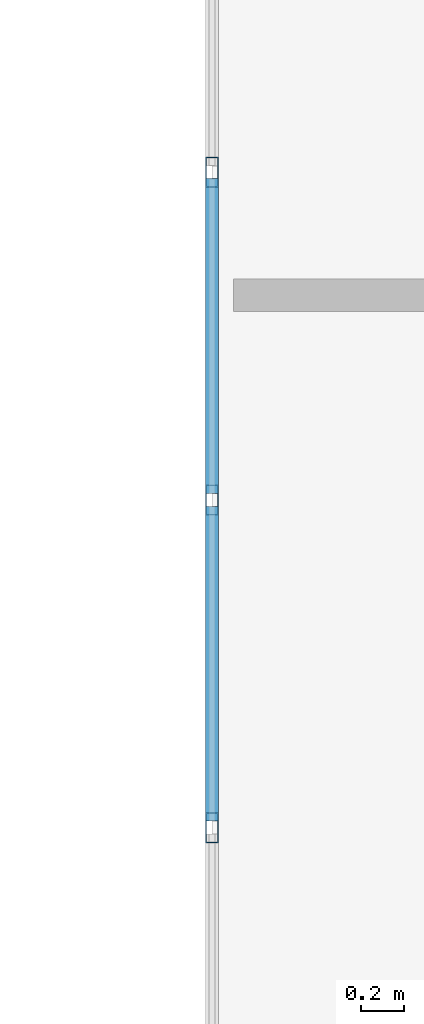
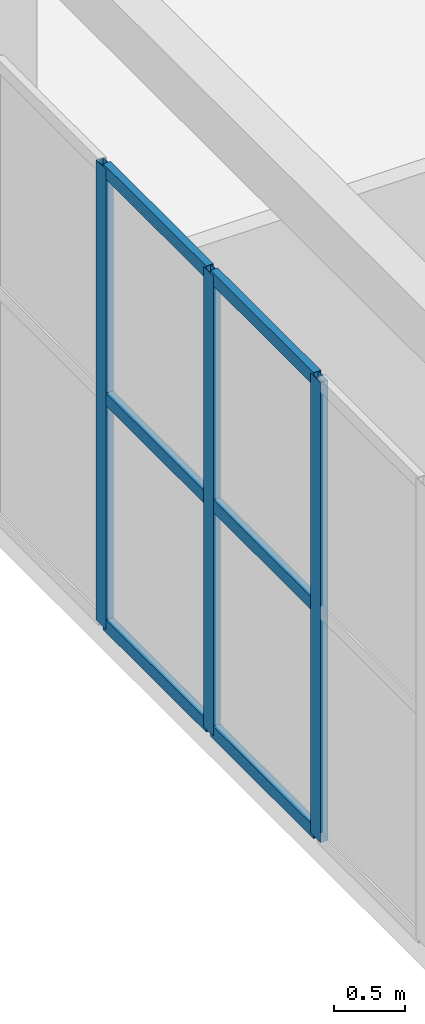
# One storey, part 21 of 140: 9 members, 1 element without a shape of its own.
"""IFC4 building model written with IfcOpenShell, lengths in metres."""

from ifc_helpers import new_model, si_unit, direction, frame, origin, origin_2d, place, context, subcontext, project, spatial, hollow_rectangle, extrude, material, layer, layer_set, material_profile, profile_set, type_object, element, aggregate, save


model = new_model("IFC4")

# Units and contexts
model_context = context("Model", 3, precision=1e-05, world=origin(), true_north=direction((0.0, 1.0)))
body_context = subcontext(model_context, "Body", "Model", "MODEL_VIEW")
ifc_project = project(units=[si_unit("LENGTHUNIT", "METRE"), si_unit("AREAUNIT", "SQUARE_METRE"), si_unit("VOLUMEUNIT", "CUBIC_METRE"), si_unit("PLANEANGLEUNIT", "RADIAN"), si_unit("MASSUNIT", "GRAM", prefix="KILO")], contexts=[model_context])

# Site, building, storey
site_placement = place(None, origin())
site = spatial("IfcSite", under=ifc_project, at=site_placement, CompositionType="ELEMENT")
building_placement = place(site_placement, origin())
building = spatial("IfcBuilding", under=site, at=building_placement, Name="Trelvath General Hospital", CompositionType="ELEMENT")
storey_placement = place(building_placement, frame((0.0, 0.0, 16.199951171875)))
storey = spatial("IfcBuildingStorey", under=building, at=storey_placement, Name="L04", CompositionType="ELEMENT", Elevation=16.199951171875)

# Curtain wall, members
ifc_material_1 = material(Name="Anodised aluminium and low-E glass", Category="aluminium")
ifc_layer = layer(ifc_material_1, 0.139892578125)
ifc_layer_set = layer_set([ifc_layer], Name="Anodised aluminium and low-E glass")
curtain_wall_type = type_object("IfcCurtainWallType", Name="CW CrystalCube 1664 396 14", PredefinedType="USERDEFINED", material=ifc_layer_set)
curtain_wall_placement = place(storey_placement, origin())
curtain_wall = element("IfcCurtainWall", 1, at=curtain_wall_placement, inside=storey, type_object=curtain_wall_type, Name="Crystal Cube Curtain Wall CUBE-W-T1 W3 L04", ObjectType="Unitised Glazed Curtain Wall", PredefinedType="USERDEFINED")
ifc_material_2 = material(Name="Anodised aluminium", Category="aluminium")
ifc_material_profile_1 = material_profile(ifc_material_2, hollow_rectangle(XDim=0.06005859375, YDim=0.139892578125, WallThickness=0.00390625, at=origin_2d()), Name="RHS60x140x4")
ifc_profile_set_1 = profile_set([ifc_material_profile_1], Name="Anodised aluminium")
member_type_1 = type_object("IfcMemberType", Name="CurtainMullion 60x140", PredefinedType="MULLION", material=ifc_profile_set_1)
member_1_placement = place(storey_placement, frame((53.199951171875, 51.99267578125, 0.0), z_axis=(0.0, 0.0, 1.0), x_axis=(-1.0, 0.0, 0.0)))
member_1 = element("IfcMember", 2, at=member_1_placement, type_object=member_type_1, Name="CW-277 mullion 2", PredefinedType="MULLION", context=body_context, shape_type="SweptSolid", body=[
    extrude(hollow_rectangle(XDim=0.06005859375, YDim=0.139892578125, WallThickness=0.00390625, at=origin_2d()), origin(), (0.0, 0.0, 1.0), 3.9599609375),
])
member_2_placement = place(storey_placement, frame((53.199951171875, 53.50537109375, 0.0), z_axis=(0.0, 0.0, 1.0), x_axis=(-1.0, 0.0, 0.0)))
member_2 = element("IfcMember", 3, at=member_2_placement, type_object=member_type_1, Name="CW-277 mullion 3", PredefinedType="MULLION", context=body_context, shape_type="SweptSolid", body=[
    extrude(hollow_rectangle(XDim=0.06005859375, YDim=0.139892578125, WallThickness=0.00390625, at=origin_2d()), origin(), (0.0, 0.0, 1.0), 3.9599609375),
])
member_3_placement = place(storey_placement, frame((53.199951171875, 55.01806640625, 0.0), z_axis=(0.0, 0.0, 1.0), x_axis=(-1.0, 0.0, 0.0)))
member_3 = element("IfcMember", 4, at=member_3_placement, type_object=member_type_1, Name="CW-277 mullion 4", PredefinedType="MULLION", context=body_context, shape_type="SweptSolid", body=[
    extrude(hollow_rectangle(XDim=0.06005859375, YDim=0.139892578125, WallThickness=0.00390625, at=origin_2d()), origin(), (0.0, 0.0, 1.0), 3.9599609375),
])
ifc_material_3 = material(Name="Anodised aluminium", Category="aluminium")
ifc_material_profile_2 = material_profile(ifc_material_3, hollow_rectangle(XDim=0.06005859375, YDim=0.110107421875, WallThickness=0.00390625, at=origin_2d()), Name="RHS60x110x4")
ifc_profile_set_2 = profile_set([ifc_material_profile_2], Name="Anodised aluminium")
member_type_2 = type_object("IfcMemberType", Name="CurtainTransom 60x110", PredefinedType="USERDEFINED", material=ifc_profile_set_2)
member_4_placement = place(storey_placement, frame((53.199951171875, 52.022705078125, 0.030029296875), z_axis=(0.0, 1.0, 0.0), x_axis=(-1.0, 0.0, 0.0)))
member_4 = element("IfcMember", 5, at=member_4_placement, type_object=member_type_2, Name="CW-277 transom 2.1", ObjectType="TRANSOM", PredefinedType="USERDEFINED", context=body_context, shape_type="SweptSolid", body=[
    extrude(hollow_rectangle(XDim=0.06005859375, YDim=0.110107421875, WallThickness=0.00390625, at=origin_2d()), origin(), (0.0, 0.0, 1.0), 1.45263671875),
])
member_5_placement = place(storey_placement, frame((53.199951171875, 52.022705078125, 1.97998046875), z_axis=(0.0, 1.0, 0.0), x_axis=(-1.0, 0.0, 0.0)))
member_5 = element("IfcMember", 6, at=member_5_placement, type_object=member_type_2, Name="CW-277 transom 2.2", ObjectType="TRANSOM", PredefinedType="USERDEFINED", context=body_context, shape_type="SweptSolid", body=[
    extrude(hollow_rectangle(XDim=0.06005859375, YDim=0.110107421875, WallThickness=0.00390625, at=origin_2d()), origin(), (0.0, 0.0, 1.0), 1.45263671875),
])
member_6_placement = place(storey_placement, frame((53.199951171875, 52.022705078125, 3.929931640625), z_axis=(0.0, 1.0, 0.0), x_axis=(-1.0, 0.0, 0.0)))
member_6 = element("IfcMember", 7, at=member_6_placement, type_object=member_type_2, Name="CW-277 transom 2.3", ObjectType="TRANSOM", PredefinedType="USERDEFINED", context=body_context, shape_type="SweptSolid", body=[
    extrude(hollow_rectangle(XDim=0.06005859375, YDim=0.110107421875, WallThickness=0.00390625, at=origin_2d()), origin(), (0.0, 0.0, 1.0), 1.45263671875),
])
member_7_placement = place(storey_placement, frame((53.199951171875, 53.535400390625, 0.030029296875), z_axis=(0.0, 1.0, 0.0), x_axis=(-1.0, 0.0, 0.0)))
member_7 = element("IfcMember", 8, at=member_7_placement, type_object=member_type_2, Name="CW-277 transom 3.1", ObjectType="TRANSOM", PredefinedType="USERDEFINED", context=body_context, shape_type="SweptSolid", body=[
    extrude(hollow_rectangle(XDim=0.06005859375, YDim=0.110107421875, WallThickness=0.00390625, at=origin_2d()), origin(), (0.0, 0.0, 1.0), 1.452880859375),
])
member_8_placement = place(storey_placement, frame((53.199951171875, 53.535400390625, 1.97998046875), z_axis=(0.0, 1.0, 0.0), x_axis=(-1.0, 0.0, 0.0)))
member_8 = element("IfcMember", 9, at=member_8_placement, type_object=member_type_2, Name="CW-277 transom 3.2", ObjectType="TRANSOM", PredefinedType="USERDEFINED", context=body_context, shape_type="SweptSolid", body=[
    extrude(hollow_rectangle(XDim=0.06005859375, YDim=0.110107421875, WallThickness=0.00390625, at=origin_2d()), origin(), (0.0, 0.0, 1.0), 1.452880859375),
])
member_9_placement = place(storey_placement, frame((53.199951171875, 53.535400390625, 3.929931640625), z_axis=(0.0, 1.0, 0.0), x_axis=(-1.0, 0.0, 0.0)))
member_9 = element("IfcMember", 10, at=member_9_placement, type_object=member_type_2, Name="CW-277 transom 3.3", ObjectType="TRANSOM", PredefinedType="USERDEFINED", context=body_context, shape_type="SweptSolid", body=[
    extrude(hollow_rectangle(XDim=0.06005859375, YDim=0.110107421875, WallThickness=0.00390625, at=origin_2d()), origin(), (0.0, 0.0, 1.0), 1.452880859375),
])
aggregate(curtain_wall, [member_1, member_2, member_3, member_4, member_5, member_6, member_7, member_8, member_9])

save(model, "model.ifc")
